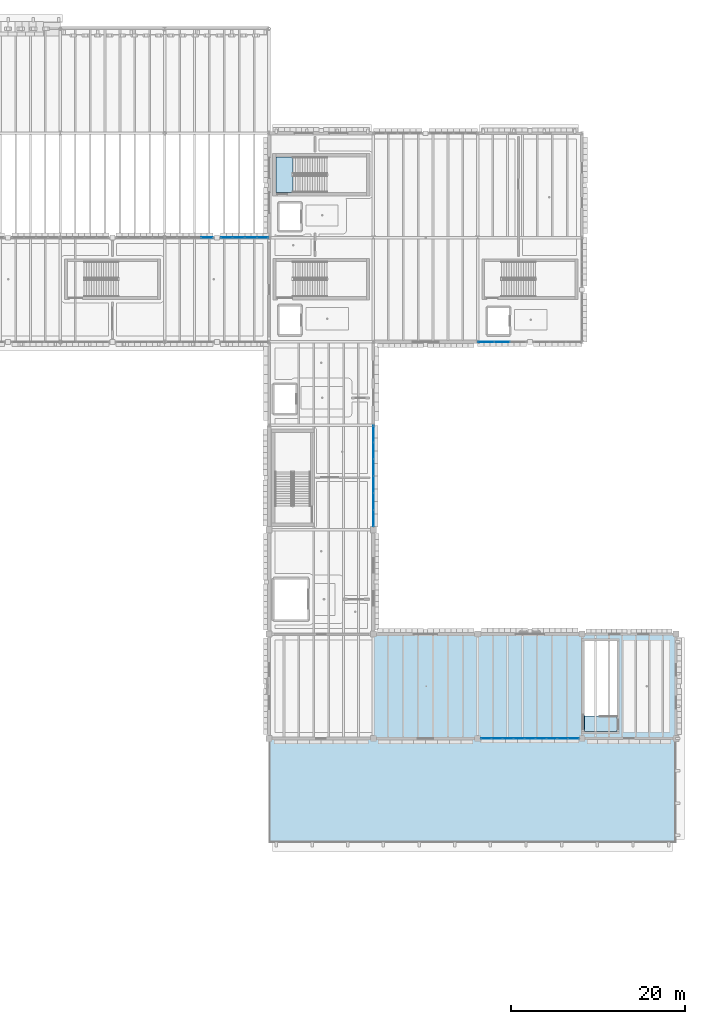
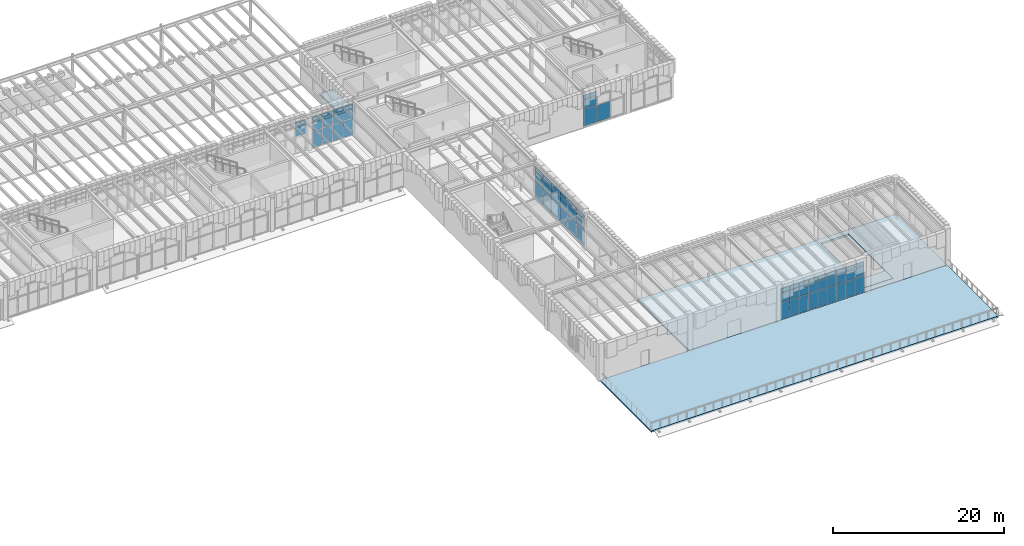
# One storey, part 53 of 100: 63 plates, 4 slabs, 5 elements without a shape of their own.
"""IFC4 building model written with IfcOpenShell, lengths in metres."""

from ifc_helpers import new_model, si_unit, direction, frame, origin, origin_2d, place, context, subcontext, project, spatial, polyline, rectangle, outline, extrude, material, layer, layer_set, type_object, element, aggregate, save


model = new_model("IFC4")

# Units and contexts
model_context = context("Model", 3, precision=1e-05, world=origin(), true_north=direction((0.0, 1.0)))
body_context = subcontext(model_context, "Body", "Model", "MODEL_VIEW")
ifc_project = project(units=[si_unit("LENGTHUNIT", "METRE"), si_unit("AREAUNIT", "SQUARE_METRE"), si_unit("VOLUMEUNIT", "CUBIC_METRE"), si_unit("PLANEANGLEUNIT", "RADIAN"), si_unit("MASSUNIT", "GRAM", prefix="KILO")], contexts=[model_context])

# Site, building, storey
site_placement = place(None, origin())
site = spatial("IfcSite", under=ifc_project, at=site_placement, CompositionType="ELEMENT")
building_placement = place(site_placement, origin())
building = spatial("IfcBuilding", under=site, at=building_placement, Name="Zlatogorsky Bluff Art Gallery", CompositionType="ELEMENT")
storey_placement = place(building_placement, frame((0.0, 0.0, 5.39990234375)))
storey = spatial("IfcBuildingStorey", under=building, at=storey_placement, Name="L01", CompositionType="ELEMENT", Elevation=5.39990234375)

# Curtain wall, plates
ifc_material_1 = material(Name="Anodised Bronze Aluminium and Low-Iron Triple Glazing", Category="aluminium")
ifc_layer_1 = layer(ifc_material_1, 0.199951171875)
ifc_layer_set_1 = layer_set([ifc_layer_1], Name="Curtain Wall CW-02")
curtain_wall_type_1 = type_object("IfcCurtainWallType", Name="Curtain Wall CW-02", PredefinedType="USERDEFINED", material=ifc_layer_set_1)
curtain_wall_1_placement = place(storey_placement, origin())
curtain_wall_1 = element("IfcCurtainWall", 1, at=curtain_wall_1_placement, inside=storey, type_object=curtain_wall_type_1, Name="Unitised curtain wall CW-02 L01 N 9.8-A", ObjectType="CURTAIN WALL", PredefinedType="USERDEFINED")
ifc_material_2 = material(Name="Low-Iron Laminated Triple Glazing", Category="glass")
ifc_layer_2 = layer(ifc_material_2, 0.035888671875)
ifc_layer_set_2 = layer_set([ifc_layer_2], Name="Glazed Curtain Panel CWP-01")
plate_type = type_object("IfcPlateType", Name="Glazed Curtain Panel CWP-01", PredefinedType="CURTAIN_PANEL", material=ifc_layer_set_2)
plate_1_placement = place(storey_placement, frame((119.2861328125, 96.0, 0.065185546875), z_axis=(0.0, 0.0, 1.0), x_axis=(-1.0, 0.0, 0.0)))
plate_1 = element("IfcPlate", 2, at=plate_1_placement, type_object=plate_type, Name="CW-02 panel 1.1", PredefinedType="CURTAIN_PANEL", context=body_context, shape_type="SweptSolid", body=[
    extrude(rectangle(XDim=1.297607421875, YDim=0.035888671875, at=origin_2d()), origin(), (0.0, 0.0, 1.0), 2.3525390625),
])
plate_2_placement = place(storey_placement, frame((119.2861328125, 96.0, 2.482666015625), z_axis=(0.0, 0.0, 1.0), x_axis=(-1.0, 0.0, 0.0)))
plate_2 = element("IfcPlate", 3, at=plate_2_placement, type_object=plate_type, Name="CW-02 panel 1.2", PredefinedType="CURTAIN_PANEL", context=body_context, shape_type="SweptSolid", body=[
    extrude(rectangle(XDim=1.297607421875, YDim=0.035888671875, at=origin_2d()), origin(), (0.0, 0.0, 1.0), 1.3349609375),
])
plate_3_placement = place(storey_placement, frame((119.2861328125, 96.0, 3.882568359375), z_axis=(0.0, 0.0, 1.0), x_axis=(-1.0, 0.0, 0.0)))
plate_3 = element("IfcPlate", 4, at=plate_3_placement, type_object=plate_type, Name="CW-02 panel 1.3", PredefinedType="CURTAIN_PANEL", context=body_context, shape_type="SweptSolid", body=[
    extrude(rectangle(XDim=1.297607421875, YDim=0.035888671875, at=origin_2d()), origin(), (0.0, 0.0, 1.0), 0.58251953125),
])
plate_4_placement = place(storey_placement, frame((117.907470703125, 96.0, 0.065185546875), z_axis=(0.0, 0.0, 1.0), x_axis=(-1.0, 0.0, 0.0)))
plate_4 = element("IfcPlate", 5, at=plate_4_placement, type_object=plate_type, Name="CW-02 panel 2.1", PredefinedType="CURTAIN_PANEL", context=body_context, shape_type="SweptSolid", body=[
    extrude(rectangle(XDim=1.330078125, YDim=0.035888671875, at=origin_2d()), origin(), (0.0, 0.0, 1.0), 2.3525390625),
])
plate_5_placement = place(storey_placement, frame((117.907470703125, 96.0, 2.482666015625), z_axis=(0.0, 0.0, 1.0), x_axis=(-1.0, 0.0, 0.0)))
plate_5 = element("IfcPlate", 6, at=plate_5_placement, type_object=plate_type, Name="CW-02 panel 2.2", PredefinedType="CURTAIN_PANEL", context=body_context, shape_type="SweptSolid", body=[
    extrude(rectangle(XDim=1.330078125, YDim=0.035888671875, at=origin_2d()), origin(), (0.0, 0.0, 1.0), 1.3349609375),
])
plate_6_placement = place(storey_placement, frame((117.907470703125, 96.0, 3.882568359375), z_axis=(0.0, 0.0, 1.0), x_axis=(-1.0, 0.0, 0.0)))
plate_6 = element("IfcPlate", 7, at=plate_6_placement, type_object=plate_type, Name="CW-02 panel 2.3", PredefinedType="CURTAIN_PANEL", context=body_context, shape_type="SweptSolid", body=[
    extrude(rectangle(XDim=1.330078125, YDim=0.035888671875, at=origin_2d()), origin(), (0.0, 0.0, 1.0), 0.58251953125),
])
plate_7_placement = place(storey_placement, frame((116.512451171875, 96.0, 0.065185546875), z_axis=(0.0, 0.0, 1.0), x_axis=(-1.0, 0.0, 0.0)))
plate_7 = element("IfcPlate", 8, at=plate_7_placement, type_object=plate_type, Name="CW-02 panel 3.1", PredefinedType="CURTAIN_PANEL", context=body_context, shape_type="SweptSolid", body=[
    extrude(rectangle(XDim=1.330078125, YDim=0.035888671875, at=origin_2d()), origin(), (0.0, 0.0, 1.0), 2.3525390625),
])
plate_8_placement = place(storey_placement, frame((116.512451171875, 96.0, 2.482666015625), z_axis=(0.0, 0.0, 1.0), x_axis=(-1.0, 0.0, 0.0)))
plate_8 = element("IfcPlate", 9, at=plate_8_placement, type_object=plate_type, Name="CW-02 panel 3.2", PredefinedType="CURTAIN_PANEL", context=body_context, shape_type="SweptSolid", body=[
    extrude(rectangle(XDim=1.330078125, YDim=0.035888671875, at=origin_2d()), origin(), (0.0, 0.0, 1.0), 1.3349609375),
])
plate_9_placement = place(storey_placement, frame((116.512451171875, 96.0, 3.882568359375), z_axis=(0.0, 0.0, 1.0), x_axis=(-1.0, 0.0, 0.0)))
plate_9 = element("IfcPlate", 10, at=plate_9_placement, type_object=plate_type, Name="CW-02 panel 3.3", PredefinedType="CURTAIN_PANEL", context=body_context, shape_type="SweptSolid", body=[
    extrude(rectangle(XDim=1.330078125, YDim=0.035888671875, at=origin_2d()), origin(), (0.0, 0.0, 1.0), 0.58251953125),
])
plate_10_placement = place(storey_placement, frame((115.1337890625, 96.0, 0.065185546875), z_axis=(0.0, 0.0, 1.0), x_axis=(-1.0, 0.0, 0.0)))
plate_10 = element("IfcPlate", 11, at=plate_10_placement, type_object=plate_type, Name="CW-02 panel 4.1", PredefinedType="CURTAIN_PANEL", context=body_context, shape_type="SweptSolid", body=[
    extrude(rectangle(XDim=1.297607421875, YDim=0.035888671875, at=origin_2d()), origin(), (0.0, 0.0, 1.0), 2.3525390625),
])
plate_11_placement = place(storey_placement, frame((115.1337890625, 96.0, 2.482666015625), z_axis=(0.0, 0.0, 1.0), x_axis=(-1.0, 0.0, 0.0)))
plate_11 = element("IfcPlate", 12, at=plate_11_placement, type_object=plate_type, Name="CW-02 panel 4.2", PredefinedType="CURTAIN_PANEL", context=body_context, shape_type="SweptSolid", body=[
    extrude(rectangle(XDim=1.297607421875, YDim=0.035888671875, at=origin_2d()), origin(), (0.0, 0.0, 1.0), 1.3349609375),
])
plate_12_placement = place(storey_placement, frame((115.1337890625, 96.0, 3.882568359375), z_axis=(0.0, 0.0, 1.0), x_axis=(-1.0, 0.0, 0.0)))
plate_12 = element("IfcPlate", 13, at=plate_12_placement, type_object=plate_type, Name="CW-02 panel 4.3", PredefinedType="CURTAIN_PANEL", context=body_context, shape_type="SweptSolid", body=[
    extrude(rectangle(XDim=1.297607421875, YDim=0.035888671875, at=origin_2d()), origin(), (0.0, 0.0, 1.0), 0.58251953125),
])
aggregate(curtain_wall_1, [plate_1, plate_2, plate_3, plate_4, plate_5, plate_6, plate_7, plate_8, plate_9, plate_10, plate_11, plate_12])

curtain_wall_2_placement = place(storey_placement, origin())
curtain_wall_2 = element("IfcCurtainWall", 14, at=curtain_wall_2_placement, inside=storey, type_object=curtain_wall_type_1, Name="Unitised curtain wall CW-02 L01 N 9.8-B", ObjectType="CURTAIN WALL", PredefinedType="USERDEFINED")
plate_13_placement = place(storey_placement, frame((112.8662109375, 96.0, 2.482666015625), z_axis=(0.0, 0.0, 1.0), x_axis=(-1.0, 0.0, 0.0)))
plate_13 = element("IfcPlate", 15, at=plate_13_placement, type_object=plate_type, Name="CW-02 panel 1.2", PredefinedType="CURTAIN_PANEL", context=body_context, shape_type="SweptSolid", body=[
    extrude(rectangle(XDim=1.297607421875, YDim=0.035888671875, at=origin_2d()), origin(), (0.0, 0.0, 1.0), 1.3349609375),
])
plate_14_placement = place(storey_placement, frame((112.8662109375, 96.0, 3.882568359375), z_axis=(0.0, 0.0, 1.0), x_axis=(-1.0, 0.0, 0.0)))
plate_14 = element("IfcPlate", 16, at=plate_14_placement, type_object=plate_type, Name="CW-02 panel 1.3", PredefinedType="CURTAIN_PANEL", context=body_context, shape_type="SweptSolid", body=[
    extrude(rectangle(XDim=1.297607421875, YDim=0.035888671875, at=origin_2d()), origin(), (0.0, 0.0, 1.0), 0.58251953125),
])
aggregate(curtain_wall_2, [plate_13, plate_14])

ifc_layer_3 = layer(ifc_material_1, 0.219970703125)
ifc_layer_set_3 = layer_set([ifc_layer_3], Name="Curtain Wall CW-04")
curtain_wall_type_2 = type_object("IfcCurtainWallType", Name="Curtain Wall CW-04", PredefinedType="USERDEFINED", material=ifc_layer_set_3)
curtain_wall_3_placement = place(storey_placement, origin())
curtain_wall_3 = element("IfcCurtainWall", 17, at=curtain_wall_3_placement, inside=storey, type_object=curtain_wall_type_2, Name="Unitised curtain wall CW-04 L01 E 10.6", ObjectType="CURTAIN WALL", PredefinedType="USERDEFINED")
plate_15_placement = place(storey_placement, frame((132.0, 63.732421875, 0.065185546875), z_axis=(0.0, 0.0, 1.0), x_axis=(0.0, 1.0, 0.0)))
plate_15 = element("IfcPlate", 18, at=plate_15_placement, type_object=plate_type, Name="CW-04 panel 1.1", PredefinedType="CURTAIN_PANEL", context=body_context, shape_type="SweptSolid", body=[
    extrude(rectangle(XDim=1.844970703125, YDim=0.035888671875, at=origin_2d()), origin(), (0.0, 0.0, 1.0), 2.3525390625),
])
plate_16_placement = place(storey_placement, frame((132.0, 63.732421875, 2.482666015625), z_axis=(0.0, 0.0, 1.0), x_axis=(0.0, 1.0, 0.0)))
plate_16 = element("IfcPlate", 19, at=plate_16_placement, type_object=plate_type, Name="CW-04 panel 1.2", PredefinedType="CURTAIN_PANEL", context=body_context, shape_type="SweptSolid", body=[
    extrude(rectangle(XDim=1.844970703125, YDim=0.035888671875, at=origin_2d()), origin(), (0.0, 0.0, 1.0), 1.3349609375),
])
plate_17_placement = place(storey_placement, frame((132.0, 63.732421875, 3.882568359375), z_axis=(0.0, 0.0, 1.0), x_axis=(0.0, 1.0, 0.0)))
plate_17 = element("IfcPlate", 20, at=plate_17_placement, type_object=plate_type, Name="CW-04 panel 1.3", PredefinedType="CURTAIN_PANEL", context=body_context, shape_type="SweptSolid", body=[
    extrude(rectangle(XDim=1.844970703125, YDim=0.035888671875, at=origin_2d()), origin(), (0.0, 0.0, 1.0), 0.58251953125),
])
plate_18_placement = place(storey_placement, frame((132.0, 65.65869140625, 0.065185546875), z_axis=(0.0, 0.0, 1.0), x_axis=(0.0, 1.0, 0.0)))
plate_18 = element("IfcPlate", 21, at=plate_18_placement, type_object=plate_type, Name="CW-04 panel 2.1", PredefinedType="CURTAIN_PANEL", context=body_context, shape_type="SweptSolid", body=[
    extrude(rectangle(XDim=1.87744140625, YDim=0.035888671875, at=origin_2d()), origin(), (0.0, 0.0, 1.0), 2.3525390625),
])
plate_19_placement = place(storey_placement, frame((132.0, 65.65869140625, 2.482666015625), z_axis=(0.0, 0.0, 1.0), x_axis=(0.0, 1.0, 0.0)))
plate_19 = element("IfcPlate", 22, at=plate_19_placement, type_object=plate_type, Name="CW-04 panel 2.2", PredefinedType="CURTAIN_PANEL", context=body_context, shape_type="SweptSolid", body=[
    extrude(rectangle(XDim=1.87744140625, YDim=0.035888671875, at=origin_2d()), origin(), (0.0, 0.0, 1.0), 1.3349609375),
])
plate_20_placement = place(storey_placement, frame((132.0, 65.65869140625, 3.882568359375), z_axis=(0.0, 0.0, 1.0), x_axis=(0.0, 1.0, 0.0)))
plate_20 = element("IfcPlate", 23, at=plate_20_placement, type_object=plate_type, Name="CW-04 panel 2.3", PredefinedType="CURTAIN_PANEL", context=body_context, shape_type="SweptSolid", body=[
    extrude(rectangle(XDim=1.87744140625, YDim=0.035888671875, at=origin_2d()), origin(), (0.0, 0.0, 1.0), 0.58251953125),
])
plate_21_placement = place(storey_placement, frame((132.0, 67.601318359375, 0.065185546875), z_axis=(0.0, 0.0, 1.0), x_axis=(0.0, 1.0, 0.0)))
plate_21 = element("IfcPlate", 24, at=plate_21_placement, type_object=plate_type, Name="CW-04 panel 3.1", PredefinedType="CURTAIN_PANEL", context=body_context, shape_type="SweptSolid", body=[
    extrude(rectangle(XDim=1.87744140625, YDim=0.035888671875, at=origin_2d()), origin(), (0.0, 0.0, 1.0), 2.3525390625),
])
plate_22_placement = place(storey_placement, frame((132.0, 67.601318359375, 2.482666015625), z_axis=(0.0, 0.0, 1.0), x_axis=(0.0, 1.0, 0.0)))
plate_22 = element("IfcPlate", 25, at=plate_22_placement, type_object=plate_type, Name="CW-04 panel 3.2", PredefinedType="CURTAIN_PANEL", context=body_context, shape_type="SweptSolid", body=[
    extrude(rectangle(XDim=1.87744140625, YDim=0.035888671875, at=origin_2d()), origin(), (0.0, 0.0, 1.0), 1.3349609375),
])
plate_23_placement = place(storey_placement, frame((132.0, 67.601318359375, 3.882568359375), z_axis=(0.0, 0.0, 1.0), x_axis=(0.0, 1.0, 0.0)))
plate_23 = element("IfcPlate", 26, at=plate_23_placement, type_object=plate_type, Name="CW-04 panel 3.3", PredefinedType="CURTAIN_PANEL", context=body_context, shape_type="SweptSolid", body=[
    extrude(rectangle(XDim=1.87744140625, YDim=0.035888671875, at=origin_2d()), origin(), (0.0, 0.0, 1.0), 0.58251953125),
])
plate_24_placement = place(storey_placement, frame((132.0, 69.543701171875, 0.065185546875), z_axis=(0.0, 0.0, 1.0), x_axis=(0.0, 1.0, 0.0)))
plate_24 = element("IfcPlate", 27, at=plate_24_placement, type_object=plate_type, Name="CW-04 panel 4.1", PredefinedType="CURTAIN_PANEL", context=body_context, shape_type="SweptSolid", body=[
    extrude(rectangle(XDim=1.87744140625, YDim=0.035888671875, at=origin_2d()), origin(), (0.0, 0.0, 1.0), 2.3525390625),
])
plate_25_placement = place(storey_placement, frame((132.0, 69.543701171875, 2.482666015625), z_axis=(0.0, 0.0, 1.0), x_axis=(0.0, 1.0, 0.0)))
plate_25 = element("IfcPlate", 28, at=plate_25_placement, type_object=plate_type, Name="CW-04 panel 4.2", PredefinedType="CURTAIN_PANEL", context=body_context, shape_type="SweptSolid", body=[
    extrude(rectangle(XDim=1.87744140625, YDim=0.035888671875, at=origin_2d()), origin(), (0.0, 0.0, 1.0), 1.3349609375),
])
plate_26_placement = place(storey_placement, frame((132.0, 69.543701171875, 3.882568359375), z_axis=(0.0, 0.0, 1.0), x_axis=(0.0, 1.0, 0.0)))
plate_26 = element("IfcPlate", 29, at=plate_26_placement, type_object=plate_type, Name="CW-04 panel 4.3", PredefinedType="CURTAIN_PANEL", context=body_context, shape_type="SweptSolid", body=[
    extrude(rectangle(XDim=1.87744140625, YDim=0.035888671875, at=origin_2d()), origin(), (0.0, 0.0, 1.0), 0.58251953125),
])
plate_27_placement = place(storey_placement, frame((132.0, 71.486328125, 0.065185546875), z_axis=(0.0, 0.0, 1.0), x_axis=(0.0, 1.0, 0.0)))
plate_27 = element("IfcPlate", 30, at=plate_27_placement, type_object=plate_type, Name="CW-04 panel 5.1", PredefinedType="CURTAIN_PANEL", context=body_context, shape_type="SweptSolid", body=[
    extrude(rectangle(XDim=1.87744140625, YDim=0.035888671875, at=origin_2d()), origin(), (0.0, 0.0, 1.0), 2.3525390625),
])
plate_28_placement = place(storey_placement, frame((132.0, 71.486328125, 2.482666015625), z_axis=(0.0, 0.0, 1.0), x_axis=(0.0, 1.0, 0.0)))
plate_28 = element("IfcPlate", 31, at=plate_28_placement, type_object=plate_type, Name="CW-04 panel 5.2", PredefinedType="CURTAIN_PANEL", context=body_context, shape_type="SweptSolid", body=[
    extrude(rectangle(XDim=1.87744140625, YDim=0.035888671875, at=origin_2d()), origin(), (0.0, 0.0, 1.0), 1.3349609375),
])
plate_29_placement = place(storey_placement, frame((132.0, 71.486328125, 3.882568359375), z_axis=(0.0, 0.0, 1.0), x_axis=(0.0, 1.0, 0.0)))
plate_29 = element("IfcPlate", 32, at=plate_29_placement, type_object=plate_type, Name="CW-04 panel 5.3", PredefinedType="CURTAIN_PANEL", context=body_context, shape_type="SweptSolid", body=[
    extrude(rectangle(XDim=1.87744140625, YDim=0.035888671875, at=origin_2d()), origin(), (0.0, 0.0, 1.0), 0.58251953125),
])
plate_30_placement = place(storey_placement, frame((132.0, 73.41259765625, 0.065185546875), z_axis=(0.0, 0.0, 1.0), x_axis=(0.0, 1.0, 0.0)))
plate_30 = element("IfcPlate", 33, at=plate_30_placement, type_object=plate_type, Name="CW-04 panel 6.1", PredefinedType="CURTAIN_PANEL", context=body_context, shape_type="SweptSolid", body=[
    extrude(rectangle(XDim=1.844970703125, YDim=0.035888671875, at=origin_2d()), origin(), (0.0, 0.0, 1.0), 2.3525390625),
])
plate_31_placement = place(storey_placement, frame((132.0, 73.41259765625, 2.482666015625), z_axis=(0.0, 0.0, 1.0), x_axis=(0.0, 1.0, 0.0)))
plate_31 = element("IfcPlate", 34, at=plate_31_placement, type_object=plate_type, Name="CW-04 panel 6.2", PredefinedType="CURTAIN_PANEL", context=body_context, shape_type="SweptSolid", body=[
    extrude(rectangle(XDim=1.844970703125, YDim=0.035888671875, at=origin_2d()), origin(), (0.0, 0.0, 1.0), 1.3349609375),
])
plate_32_placement = place(storey_placement, frame((132.0, 73.41259765625, 3.882568359375), z_axis=(0.0, 0.0, 1.0), x_axis=(0.0, 1.0, 0.0)))
plate_32 = element("IfcPlate", 35, at=plate_32_placement, type_object=plate_type, Name="CW-04 panel 6.3", PredefinedType="CURTAIN_PANEL", context=body_context, shape_type="SweptSolid", body=[
    extrude(rectangle(XDim=1.844970703125, YDim=0.035888671875, at=origin_2d()), origin(), (0.0, 0.0, 1.0), 0.58251953125),
])
aggregate(curtain_wall_3, [plate_15, plate_16, plate_17, plate_18, plate_19, plate_20, plate_21, plate_22, plate_23, plate_24, plate_25, plate_26, plate_27, plate_28, plate_29, plate_30, plate_31, plate_32])

ifc_layer_4 = layer(ifc_material_1, 0.179931640625)
ifc_layer_set_4 = layer_set([ifc_layer_4], Name="Curtain Wall CW-03")
curtain_wall_type_3 = type_object("IfcCurtainWallType", Name="Curtain Wall CW-03", PredefinedType="USERDEFINED", material=ifc_layer_set_4)
curtain_wall_4_placement = place(storey_placement, origin())
curtain_wall_4 = element("IfcCurtainWall", 36, at=curtain_wall_4_placement, inside=storey, type_object=curtain_wall_type_3, Name="Unitised curtain wall CW-03 L01 S 12.4", ObjectType="CURTAIN WALL", PredefinedType="USERDEFINED")
plate_33_placement = place(storey_placement, frame((144.989501953125, 38.39990234375, 0.065185546875), z_axis=(0.0, 0.0, 1.0), x_axis=(1.0, 0.0, 0.0)))
plate_33 = element("IfcPlate", 37, at=plate_33_placement, type_object=plate_type, Name="CW-03 panel 1.1", PredefinedType="CURTAIN_PANEL", context=body_context, shape_type="SweptSolid", body=[
    extrude(rectangle(XDim=1.1591796875, YDim=0.035888671875, at=origin_2d()), origin(), (0.0, 0.0, 1.0), 2.3525390625),
])
plate_34_placement = place(storey_placement, frame((144.989501953125, 38.39990234375, 2.482666015625), z_axis=(0.0, 0.0, 1.0), x_axis=(1.0, 0.0, 0.0)))
plate_34 = element("IfcPlate", 38, at=plate_34_placement, type_object=plate_type, Name="CW-03 panel 1.2", PredefinedType="CURTAIN_PANEL", context=body_context, shape_type="SweptSolid", body=[
    extrude(rectangle(XDim=1.1591796875, YDim=0.035888671875, at=origin_2d()), origin(), (0.0, 0.0, 1.0), 1.3349609375),
])
plate_35_placement = place(storey_placement, frame((144.989501953125, 38.39990234375, 3.882568359375), z_axis=(0.0, 0.0, 1.0), x_axis=(1.0, 0.0, 0.0)))
plate_35 = element("IfcPlate", 39, at=plate_35_placement, type_object=plate_type, Name="CW-03 panel 1.3", PredefinedType="CURTAIN_PANEL", context=body_context, shape_type="SweptSolid", body=[
    extrude(rectangle(XDim=1.1591796875, YDim=0.035888671875, at=origin_2d()), origin(), (0.0, 0.0, 1.0), 0.58251953125),
])
plate_36_placement = place(storey_placement, frame((146.22998046875, 38.39990234375, 0.065185546875), z_axis=(0.0, 0.0, 1.0), x_axis=(1.0, 0.0, 0.0)))
plate_36 = element("IfcPlate", 40, at=plate_36_placement, type_object=plate_type, Name="CW-03 panel 2.1", PredefinedType="CURTAIN_PANEL", context=body_context, shape_type="SweptSolid", body=[
    extrude(rectangle(XDim=1.191650390625, YDim=0.035888671875, at=origin_2d()), origin(), (0.0, 0.0, 1.0), 2.3525390625),
])
plate_37_placement = place(storey_placement, frame((146.22998046875, 38.39990234375, 2.482666015625), z_axis=(0.0, 0.0, 1.0), x_axis=(1.0, 0.0, 0.0)))
plate_37 = element("IfcPlate", 41, at=plate_37_placement, type_object=plate_type, Name="CW-03 panel 2.2", PredefinedType="CURTAIN_PANEL", context=body_context, shape_type="SweptSolid", body=[
    extrude(rectangle(XDim=1.191650390625, YDim=0.035888671875, at=origin_2d()), origin(), (0.0, 0.0, 1.0), 1.3349609375),
])
plate_38_placement = place(storey_placement, frame((146.22998046875, 38.39990234375, 3.882568359375), z_axis=(0.0, 0.0, 1.0), x_axis=(1.0, 0.0, 0.0)))
plate_38 = element("IfcPlate", 42, at=plate_38_placement, type_object=plate_type, Name="CW-03 panel 2.3", PredefinedType="CURTAIN_PANEL", context=body_context, shape_type="SweptSolid", body=[
    extrude(rectangle(XDim=1.191650390625, YDim=0.035888671875, at=origin_2d()), origin(), (0.0, 0.0, 1.0), 0.58251953125),
])
plate_39_placement = place(storey_placement, frame((147.486572265625, 38.39990234375, 0.065185546875), z_axis=(0.0, 0.0, 1.0), x_axis=(1.0, 0.0, 0.0)))
plate_39 = element("IfcPlate", 43, at=plate_39_placement, type_object=plate_type, Name="CW-03 panel 3.1", PredefinedType="CURTAIN_PANEL", context=body_context, shape_type="SweptSolid", body=[
    extrude(rectangle(XDim=1.191650390625, YDim=0.035888671875, at=origin_2d()), origin(), (0.0, 0.0, 1.0), 2.3525390625),
])
plate_40_placement = place(storey_placement, frame((147.486572265625, 38.39990234375, 2.482666015625), z_axis=(0.0, 0.0, 1.0), x_axis=(1.0, 0.0, 0.0)))
plate_40 = element("IfcPlate", 44, at=plate_40_placement, type_object=plate_type, Name="CW-03 panel 3.2", PredefinedType="CURTAIN_PANEL", context=body_context, shape_type="SweptSolid", body=[
    extrude(rectangle(XDim=1.191650390625, YDim=0.035888671875, at=origin_2d()), origin(), (0.0, 0.0, 1.0), 1.3349609375),
])
plate_41_placement = place(storey_placement, frame((147.486572265625, 38.39990234375, 3.882568359375), z_axis=(0.0, 0.0, 1.0), x_axis=(1.0, 0.0, 0.0)))
plate_41 = element("IfcPlate", 45, at=plate_41_placement, type_object=plate_type, Name="CW-03 panel 3.3", PredefinedType="CURTAIN_PANEL", context=body_context, shape_type="SweptSolid", body=[
    extrude(rectangle(XDim=1.191650390625, YDim=0.035888671875, at=origin_2d()), origin(), (0.0, 0.0, 1.0), 0.58251953125),
])
plate_42_placement = place(storey_placement, frame((148.743408203125, 38.39990234375, 0.065185546875), z_axis=(0.0, 0.0, 1.0), x_axis=(1.0, 0.0, 0.0)))
plate_42 = element("IfcPlate", 46, at=plate_42_placement, type_object=plate_type, Name="CW-03 panel 4.1", PredefinedType="CURTAIN_PANEL", context=body_context, shape_type="SweptSolid", body=[
    extrude(rectangle(XDim=1.191650390625, YDim=0.035888671875, at=origin_2d()), origin(), (0.0, 0.0, 1.0), 2.3525390625),
])
plate_43_placement = place(storey_placement, frame((148.743408203125, 38.39990234375, 2.482666015625), z_axis=(0.0, 0.0, 1.0), x_axis=(1.0, 0.0, 0.0)))
plate_43 = element("IfcPlate", 47, at=plate_43_placement, type_object=plate_type, Name="CW-03 panel 4.2", PredefinedType="CURTAIN_PANEL", context=body_context, shape_type="SweptSolid", body=[
    extrude(rectangle(XDim=1.191650390625, YDim=0.035888671875, at=origin_2d()), origin(), (0.0, 0.0, 1.0), 1.3349609375),
])
plate_44_placement = place(storey_placement, frame((148.743408203125, 38.39990234375, 3.882568359375), z_axis=(0.0, 0.0, 1.0), x_axis=(1.0, 0.0, 0.0)))
plate_44 = element("IfcPlate", 48, at=plate_44_placement, type_object=plate_type, Name="CW-03 panel 4.3", PredefinedType="CURTAIN_PANEL", context=body_context, shape_type="SweptSolid", body=[
    extrude(rectangle(XDim=1.191650390625, YDim=0.035888671875, at=origin_2d()), origin(), (0.0, 0.0, 1.0), 0.58251953125),
])
plate_45_placement = place(storey_placement, frame((150.0, 38.39990234375, 0.065185546875), z_axis=(0.0, 0.0, 1.0), x_axis=(1.0, 0.0, 0.0)))
plate_45 = element("IfcPlate", 49, at=plate_45_placement, type_object=plate_type, Name="CW-03 panel 5.1", PredefinedType="CURTAIN_PANEL", context=body_context, shape_type="SweptSolid", body=[
    extrude(rectangle(XDim=1.191650390625, YDim=0.035888671875, at=origin_2d()), origin(), (0.0, 0.0, 1.0), 2.3525390625),
])
plate_46_placement = place(storey_placement, frame((150.0, 38.39990234375, 2.482666015625), z_axis=(0.0, 0.0, 1.0), x_axis=(1.0, 0.0, 0.0)))
plate_46 = element("IfcPlate", 50, at=plate_46_placement, type_object=plate_type, Name="CW-03 panel 5.2", PredefinedType="CURTAIN_PANEL", context=body_context, shape_type="SweptSolid", body=[
    extrude(rectangle(XDim=1.191650390625, YDim=0.035888671875, at=origin_2d()), origin(), (0.0, 0.0, 1.0), 1.3349609375),
])
plate_47_placement = place(storey_placement, frame((150.0, 38.39990234375, 3.882568359375), z_axis=(0.0, 0.0, 1.0), x_axis=(1.0, 0.0, 0.0)))
plate_47 = element("IfcPlate", 51, at=plate_47_placement, type_object=plate_type, Name="CW-03 panel 5.3", PredefinedType="CURTAIN_PANEL", context=body_context, shape_type="SweptSolid", body=[
    extrude(rectangle(XDim=1.191650390625, YDim=0.035888671875, at=origin_2d()), origin(), (0.0, 0.0, 1.0), 0.58251953125),
])
plate_48_placement = place(storey_placement, frame((151.256591796875, 38.39990234375, 0.065185546875), z_axis=(0.0, 0.0, 1.0), x_axis=(1.0, 0.0, 0.0)))
plate_48 = element("IfcPlate", 52, at=plate_48_placement, type_object=plate_type, Name="CW-03 panel 6.1", PredefinedType="CURTAIN_PANEL", context=body_context, shape_type="SweptSolid", body=[
    extrude(rectangle(XDim=1.191650390625, YDim=0.035888671875, at=origin_2d()), origin(), (0.0, 0.0, 1.0), 2.3525390625),
])
plate_49_placement = place(storey_placement, frame((151.256591796875, 38.39990234375, 2.482666015625), z_axis=(0.0, 0.0, 1.0), x_axis=(1.0, 0.0, 0.0)))
plate_49 = element("IfcPlate", 53, at=plate_49_placement, type_object=plate_type, Name="CW-03 panel 6.2", PredefinedType="CURTAIN_PANEL", context=body_context, shape_type="SweptSolid", body=[
    extrude(rectangle(XDim=1.191650390625, YDim=0.035888671875, at=origin_2d()), origin(), (0.0, 0.0, 1.0), 1.3349609375),
])
plate_50_placement = place(storey_placement, frame((151.256591796875, 38.39990234375, 3.882568359375), z_axis=(0.0, 0.0, 1.0), x_axis=(1.0, 0.0, 0.0)))
plate_50 = element("IfcPlate", 54, at=plate_50_placement, type_object=plate_type, Name="CW-03 panel 6.3", PredefinedType="CURTAIN_PANEL", context=body_context, shape_type="SweptSolid", body=[
    extrude(rectangle(XDim=1.191650390625, YDim=0.035888671875, at=origin_2d()), origin(), (0.0, 0.0, 1.0), 0.58251953125),
])
plate_51_placement = place(storey_placement, frame((152.513427734375, 38.39990234375, 0.065185546875), z_axis=(0.0, 0.0, 1.0), x_axis=(1.0, 0.0, 0.0)))
plate_51 = element("IfcPlate", 55, at=plate_51_placement, type_object=plate_type, Name="CW-03 panel 7.1", PredefinedType="CURTAIN_PANEL", context=body_context, shape_type="SweptSolid", body=[
    extrude(rectangle(XDim=1.191650390625, YDim=0.035888671875, at=origin_2d()), origin(), (0.0, 0.0, 1.0), 2.3525390625),
])
plate_52_placement = place(storey_placement, frame((152.513427734375, 38.39990234375, 2.482666015625), z_axis=(0.0, 0.0, 1.0), x_axis=(1.0, 0.0, 0.0)))
plate_52 = element("IfcPlate", 56, at=plate_52_placement, type_object=plate_type, Name="CW-03 panel 7.2", PredefinedType="CURTAIN_PANEL", context=body_context, shape_type="SweptSolid", body=[
    extrude(rectangle(XDim=1.191650390625, YDim=0.035888671875, at=origin_2d()), origin(), (0.0, 0.0, 1.0), 1.3349609375),
])
plate_53_placement = place(storey_placement, frame((152.513427734375, 38.39990234375, 3.882568359375), z_axis=(0.0, 0.0, 1.0), x_axis=(1.0, 0.0, 0.0)))
plate_53 = element("IfcPlate", 57, at=plate_53_placement, type_object=plate_type, Name="CW-03 panel 7.3", PredefinedType="CURTAIN_PANEL", context=body_context, shape_type="SweptSolid", body=[
    extrude(rectangle(XDim=1.191650390625, YDim=0.035888671875, at=origin_2d()), origin(), (0.0, 0.0, 1.0), 0.58251953125),
])
plate_54_placement = place(storey_placement, frame((153.77001953125, 38.39990234375, 0.065185546875), z_axis=(0.0, 0.0, 1.0), x_axis=(1.0, 0.0, 0.0)))
plate_54 = element("IfcPlate", 58, at=plate_54_placement, type_object=plate_type, Name="CW-03 panel 8.1", PredefinedType="CURTAIN_PANEL", context=body_context, shape_type="SweptSolid", body=[
    extrude(rectangle(XDim=1.191650390625, YDim=0.035888671875, at=origin_2d()), origin(), (0.0, 0.0, 1.0), 2.3525390625),
])
plate_55_placement = place(storey_placement, frame((153.77001953125, 38.39990234375, 2.482666015625), z_axis=(0.0, 0.0, 1.0), x_axis=(1.0, 0.0, 0.0)))
plate_55 = element("IfcPlate", 59, at=plate_55_placement, type_object=plate_type, Name="CW-03 panel 8.2", PredefinedType="CURTAIN_PANEL", context=body_context, shape_type="SweptSolid", body=[
    extrude(rectangle(XDim=1.191650390625, YDim=0.035888671875, at=origin_2d()), origin(), (0.0, 0.0, 1.0), 1.3349609375),
])
plate_56_placement = place(storey_placement, frame((153.77001953125, 38.39990234375, 3.882568359375), z_axis=(0.0, 0.0, 1.0), x_axis=(1.0, 0.0, 0.0)))
plate_56 = element("IfcPlate", 60, at=plate_56_placement, type_object=plate_type, Name="CW-03 panel 8.3", PredefinedType="CURTAIN_PANEL", context=body_context, shape_type="SweptSolid", body=[
    extrude(rectangle(XDim=1.191650390625, YDim=0.035888671875, at=origin_2d()), origin(), (0.0, 0.0, 1.0), 0.58251953125),
])
plate_57_placement = place(storey_placement, frame((155.010498046875, 38.39990234375, 0.065185546875), z_axis=(0.0, 0.0, 1.0), x_axis=(1.0, 0.0, 0.0)))
plate_57 = element("IfcPlate", 61, at=plate_57_placement, type_object=plate_type, Name="CW-03 panel 9.1", PredefinedType="CURTAIN_PANEL", context=body_context, shape_type="SweptSolid", body=[
    extrude(rectangle(XDim=1.1591796875, YDim=0.035888671875, at=origin_2d()), origin(), (0.0, 0.0, 1.0), 2.3525390625),
])
plate_58_placement = place(storey_placement, frame((155.010498046875, 38.39990234375, 2.482666015625), z_axis=(0.0, 0.0, 1.0), x_axis=(1.0, 0.0, 0.0)))
plate_58 = element("IfcPlate", 62, at=plate_58_placement, type_object=plate_type, Name="CW-03 panel 9.2", PredefinedType="CURTAIN_PANEL", context=body_context, shape_type="SweptSolid", body=[
    extrude(rectangle(XDim=1.1591796875, YDim=0.035888671875, at=origin_2d()), origin(), (0.0, 0.0, 1.0), 1.3349609375),
])
plate_59_placement = place(storey_placement, frame((155.010498046875, 38.39990234375, 3.882568359375), z_axis=(0.0, 0.0, 1.0), x_axis=(1.0, 0.0, 0.0)))
plate_59 = element("IfcPlate", 63, at=plate_59_placement, type_object=plate_type, Name="CW-03 panel 9.3", PredefinedType="CURTAIN_PANEL", context=body_context, shape_type="SweptSolid", body=[
    extrude(rectangle(XDim=1.1591796875, YDim=0.035888671875, at=origin_2d()), origin(), (0.0, 0.0, 1.0), 0.58251953125),
])
aggregate(curtain_wall_4, [plate_33, plate_34, plate_35, plate_36, plate_37, plate_38, plate_39, plate_40, plate_41, plate_42, plate_43, plate_44, plate_45, plate_46, plate_47, plate_48, plate_49, plate_50, plate_51, plate_52, plate_53, plate_54, plate_55, plate_56, plate_57, plate_58, plate_59])

curtain_wall_5_placement = place(storey_placement, origin())
curtain_wall_5 = element("IfcCurtainWall", 64, at=curtain_wall_5_placement, inside=storey, type_object=curtain_wall_type_2, Name="Unitised curtain wall CW-04 L01 S 12.8-A", ObjectType="CURTAIN WALL", PredefinedType="USERDEFINED")
plate_60_placement = place(storey_placement, frame((144.9462890625, 84.0, 0.065185546875), z_axis=(0.0, 0.0, 1.0), x_axis=(1.0, 0.0, 0.0)))
plate_60 = element("IfcPlate", 65, at=plate_60_placement, type_object=plate_type, Name="CW-04 panel 1.1", PredefinedType="CURTAIN_PANEL", context=body_context, shape_type="SweptSolid", body=[
    extrude(rectangle(XDim=1.762451171875, YDim=0.035888671875, at=origin_2d()), origin(), (0.0, 0.0, 1.0), 2.3525390625),
])
plate_61_placement = place(storey_placement, frame((144.9462890625, 84.0, 2.482666015625), z_axis=(0.0, 0.0, 1.0), x_axis=(1.0, 0.0, 0.0)))
plate_61 = element("IfcPlate", 66, at=plate_61_placement, type_object=plate_type, Name="CW-04 panel 1.2", PredefinedType="CURTAIN_PANEL", context=body_context, shape_type="SweptSolid", body=[
    extrude(rectangle(XDim=1.762451171875, YDim=0.035888671875, at=origin_2d()), origin(), (0.0, 0.0, 1.0), 1.3349609375),
])
plate_62_placement = place(storey_placement, frame((144.9462890625, 84.0, 3.882568359375), z_axis=(0.0, 0.0, 1.0), x_axis=(1.0, 0.0, 0.0)))
plate_62 = element("IfcPlate", 67, at=plate_62_placement, type_object=plate_type, Name="CW-04 panel 1.3", PredefinedType="CURTAIN_PANEL", context=body_context, shape_type="SweptSolid", body=[
    extrude(rectangle(XDim=1.762451171875, YDim=0.035888671875, at=origin_2d()), origin(), (0.0, 0.0, 1.0), 0.58251953125),
])
plate_63_placement = place(storey_placement, frame((146.7900390625, 84.0, 0.065185546875), z_axis=(0.0, 0.0, 1.0), x_axis=(1.0, 0.0, 0.0)))
plate_63 = element("IfcPlate", 68, at=plate_63_placement, type_object=plate_type, Name="CW-04 panel 2.1", PredefinedType="CURTAIN_PANEL", context=body_context, shape_type="SweptSolid", body=[
    extrude(rectangle(XDim=1.794921875, YDim=0.035888671875, at=origin_2d()), origin(), (0.0, 0.0, 1.0), 2.3525390625),
])
aggregate(curtain_wall_5, [plate_60, plate_61, plate_62, plate_63])

# Slabs
ifc_material_3 = material(Name="Concrete C30/37", Category="concrete")
ifc_layer_5 = layer(ifc_material_3, 0.260009765625)
ifc_layer_set_5 = layer_set([ifc_layer_5], Name="Slab SL-01 260mm")
slab_type_1 = type_object("IfcSlabType", Name="Slab SL-01 260mm", PredefinedType="FLOOR", material=ifc_layer_set_5)
slab_1_placement = place(storey_placement, frame((0.0, 0.0, -0.260009765625)))
element("IfcSlab", 69, at=slab_1_placement, inside=storey, type_object=slab_type_1, Name="L01 structural floor slab panel 13", PredefinedType="FLOOR", context=body_context, shape_type="SweptSolid", body=[
    extrude(outline(polyline([(132.0, 50.39990234375), (144.0, 50.39990234375), (156.0, 50.39990234375), (166.800048828125, 50.39990234375), (166.800048828125, 38.39990234375), (156.0, 38.39990234375), (144.0, 38.39990234375), (132.0, 38.39990234375), (132.0, 50.39990234375)]), holes=[polyline([(160.0, 49.60009765625), (156.25, 49.60009765625), (156.25, 39.199951171875), (160.0, 39.199951171875), (160.0, 49.60009765625)])]), origin(), (0.0, 0.0, 1.0), 0.260009765625),
])
slab_2_placement = place(storey_placement, frame((0.0, 0.0, -0.260009765625)))
element("IfcSlab", 70, at=slab_2_placement, inside=storey, type_object=slab_type_1, Name="L01 stair ST-03 structural floor landing slab", PredefinedType="FLOOR", context=body_context, shape_type="SweptSolid", body=[
    extrude(outline(polyline([(120.800048828125, 101.199951171875), (122.75, 101.199951171875), (122.75, 105.25), (120.800048828125, 105.25), (120.800048828125, 101.199951171875)])), origin(), (0.0, 0.0, 1.0), 0.260009765625),
])
slab_3_placement = place(storey_placement, frame((0.0, 0.0, -0.260009765625)))
element("IfcSlab", 71, at=slab_3_placement, inside=storey, type_object=slab_type_1, Name="L01 stair ST-10 structural floor landing slab", PredefinedType="FLOOR", context=body_context, shape_type="SweptSolid", body=[
    extrude(outline(polyline([(160.0, 39.199951171875), (160.0, 41.0), (156.25, 41.0), (156.25, 39.199951171875), (160.0, 39.199951171875)])), origin(), (0.0, 0.0, 1.0), 0.260009765625),
])
ifc_material_4 = material(Name="Concrete C35/45", Category="concrete")
ifc_layer_6 = layer(ifc_material_4, 0.22998046875)
ifc_layer_set_6 = layer_set([ifc_layer_6], Name="Slab SL-TR2 230mm")
slab_type_2 = type_object("IfcSlabType", Name="Slab SL-TR2 230mm", PredefinedType="FLOOR", material=ifc_layer_set_6)
slab_4_placement = place(storey_placement, frame((0.0, 0.0, -0.22998046875)))
element("IfcSlab", 72, at=slab_4_placement, inside=storey, type_object=slab_type_2, Name="L01 outdoor sculpture terrace slab 2", PredefinedType="FLOOR", context=body_context, shape_type="SweptSolid", body=[
    extrude(outline(polyline([(132.0, 38.39990234375), (144.0, 38.39990234375), (156.0, 38.39990234375), (166.800048828125, 38.39990234375), (166.800048828125, 26.39990234375), (156.0, 26.39990234375), (144.0, 26.39990234375), (132.0, 26.39990234375), (120.0, 26.39990234375), (120.0, 38.39990234375), (132.0, 38.39990234375)])), origin(), (0.0, 0.0, 1.0), 0.22998046875),
])

save(model, "model.ifc")
